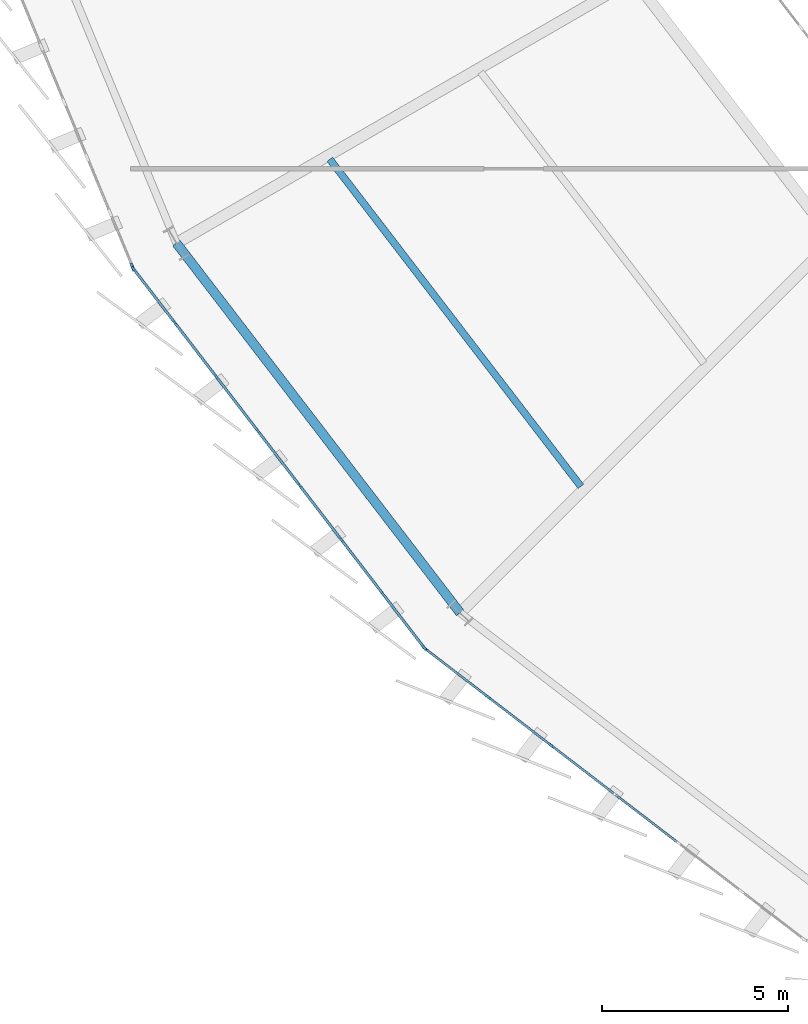
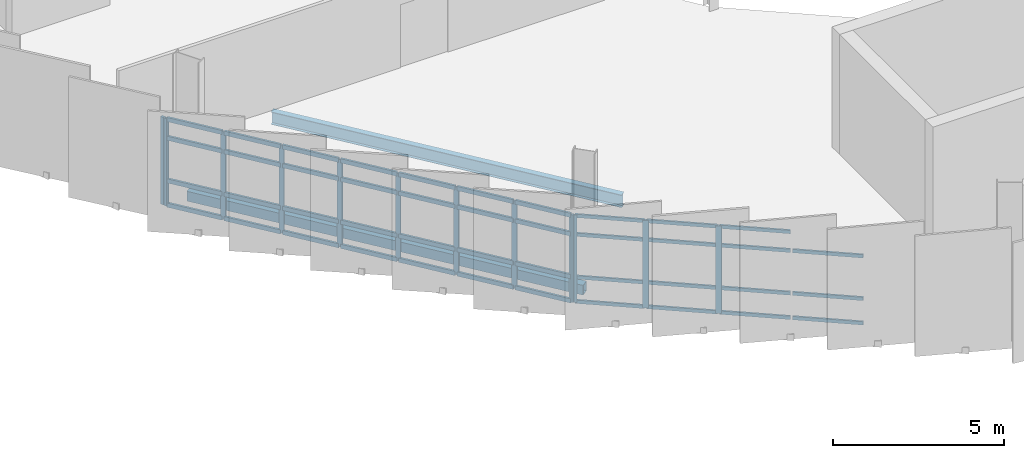
# One storey, part 15 of 67: 55 members, 2 beams, 3 elements without a shape of their own.
"""IFC4 building model written with IfcOpenShell, lengths in metres."""

from ifc_helpers import new_model, si_unit, direction, frame, origin, origin_2d, place, context, subcontext, project, spatial, rectangle, hollow_rectangle, i_section, extrude, material, layer, layer_set, material_profile, profile_set, type_object, element, aggregate, save


model = new_model("IFC4")

# Units and contexts
model_context = context("Model", 3, precision=1e-05, world=origin(), true_north=direction((0.0, 1.0)))
body_context = subcontext(model_context, "Body", "Model", "MODEL_VIEW")
ifc_project = project(units=[si_unit("LENGTHUNIT", "METRE"), si_unit("AREAUNIT", "SQUARE_METRE"), si_unit("VOLUMEUNIT", "CUBIC_METRE"), si_unit("PLANEANGLEUNIT", "RADIAN"), si_unit("MASSUNIT", "GRAM", prefix="KILO")], contexts=[model_context])

# Site, building, storey
site_placement = place(None, origin())
site = spatial("IfcSite", under=ifc_project, at=site_placement, CompositionType="ELEMENT")
building_placement = place(site_placement, origin())
building = spatial("IfcBuilding", under=site, at=building_placement, Name="Sohan Crest Arena", CompositionType="ELEMENT")
storey_placement = place(building_placement, frame((0.0, 0.0, 22.5)))
storey = spatial("IfcBuildingStorey", under=building, at=storey_placement, Name="L05", CompositionType="ELEMENT", Elevation=22.5)

# Curtain wall, members
ifc_material_1 = material(Name="Thermally broken anodised aluminium", Category="aluminium")
ifc_layer_1 = layer(ifc_material_1, 0.219970703125, Name="Thermally broken anodised aluminium")
ifc_layer_set_1 = layer_set([ifc_layer_1], Name="Thermally broken anodised aluminium")
curtain_wall_type_1 = type_object("IfcCurtainWallType", Name="ARC-CW03", PredefinedType="NOTDEFINED", material=ifc_layer_set_1)
curtain_wall_1_placement = place(storey_placement, origin())
curtain_wall_1 = element("IfcCurtainWall", 1, at=curtain_wall_1_placement, inside=storey, type_object=curtain_wall_type_1, Name="Unitised curtain wall CW-154", PredefinedType="NOTDEFINED")
ifc_material_profile_1 = material_profile(ifc_material_1, rectangle(XDim=0.06005859375, YDim=0.159912109375, at=origin_2d()), Name="ALU-MULL 60x160")
ifc_profile_set_1 = profile_set([ifc_material_profile_1], Name="Thermally broken anodised aluminium")
member_type_1 = type_object("IfcMemberType", Name="ARC-CW-ML01", PredefinedType="MULLION", material=ifc_profile_set_1)
member_1_placement = place(storey_placement, frame((55.2802734375, 53.30126953125, 0.0), z_axis=(0.0, 0.0, 1.0), x_axis=(0.793385172815, 0.60871994181, 0.0)))
member_1 = element("IfcMember", 2, at=member_1_placement, type_object=member_type_1, Name="CW-154 mullion 1", PredefinedType="MULLION", context=body_context, shape_type="SweptSolid", body=[
    extrude(rectangle(XDim=0.06005859375, YDim=0.159912109375, at=origin_2d()), origin(), (0.0, 0.0, 1.0), 3.1201171875),
])
member_2_placement = place(storey_placement, frame((56.38232421875, 51.86474609375, 0.0), z_axis=(0.0, 0.0, 1.0), x_axis=(0.793385172815, 0.60871994181, 0.0)))
member_2 = element("IfcMember", 3, at=member_2_placement, type_object=member_type_1, Name="CW-154 mullion 2", PredefinedType="MULLION", context=body_context, shape_type="SweptSolid", body=[
    extrude(rectangle(XDim=0.06005859375, YDim=0.159912109375, at=origin_2d()), origin(), (0.0, 0.0, 1.0), 3.1201171875),
])
member_3_placement = place(storey_placement, frame((57.502685546875, 50.40478515625, 0.0), z_axis=(0.0, 0.0, 1.0), x_axis=(0.793385172815, 0.60871994181, 0.0)))
member_3 = element("IfcMember", 4, at=member_3_placement, type_object=member_type_1, Name="CW-154 mullion 3", PredefinedType="MULLION", context=body_context, shape_type="SweptSolid", body=[
    extrude(rectangle(XDim=0.06005859375, YDim=0.159912109375, at=origin_2d()), origin(), (0.0, 0.0, 1.0), 3.1201171875),
])
member_4_placement = place(storey_placement, frame((58.622802734375, 48.944580078125, 0.0), z_axis=(0.0, 0.0, 1.0), x_axis=(0.793385172815, 0.60871994181, 0.0)))
member_4 = element("IfcMember", 5, at=member_4_placement, type_object=member_type_1, Name="CW-154 mullion 4", PredefinedType="MULLION", context=body_context, shape_type="SweptSolid", body=[
    extrude(rectangle(XDim=0.06005859375, YDim=0.159912109375, at=origin_2d()), origin(), (0.0, 0.0, 1.0), 3.1201171875),
])
member_5_placement = place(storey_placement, frame((59.7431640625, 47.484375, 0.0), z_axis=(0.0, 0.0, 1.0), x_axis=(0.793385172815, 0.60871994181, 0.0)))
member_5 = element("IfcMember", 6, at=member_5_placement, type_object=member_type_1, Name="CW-154 mullion 5", PredefinedType="MULLION", context=body_context, shape_type="SweptSolid", body=[
    extrude(rectangle(XDim=0.06005859375, YDim=0.159912109375, at=origin_2d()), origin(), (0.0, 0.0, 1.0), 3.1201171875),
])
member_6_placement = place(storey_placement, frame((60.863525390625, 46.024169921875, 0.0), z_axis=(0.0, 0.0, 1.0), x_axis=(0.793385172815, 0.60871994181, 0.0)))
member_6 = element("IfcMember", 7, at=member_6_placement, type_object=member_type_1, Name="CW-154 mullion 6", PredefinedType="MULLION", context=body_context, shape_type="SweptSolid", body=[
    extrude(rectangle(XDim=0.06005859375, YDim=0.159912109375, at=origin_2d()), origin(), (0.0, 0.0, 1.0), 3.1201171875),
])
member_7_placement = place(storey_placement, frame((61.983642578125, 44.564208984375, 0.0), z_axis=(0.0, 0.0, 1.0), x_axis=(0.793385172815, 0.60871994181, 0.0)))
member_7 = element("IfcMember", 8, at=member_7_placement, type_object=member_type_1, Name="CW-154 mullion 7", PredefinedType="MULLION", context=body_context, shape_type="SweptSolid", body=[
    extrude(rectangle(XDim=0.06005859375, YDim=0.159912109375, at=origin_2d()), origin(), (0.0, 0.0, 1.0), 3.1201171875),
])
member_8_placement = place(storey_placement, frame((63.085693359375, 43.127685546875, 0.0), z_axis=(0.0, 0.0, 1.0), x_axis=(0.793385172815, 0.60871994181, 0.0)))
member_8 = element("IfcMember", 9, at=member_8_placement, type_object=member_type_1, Name="CW-154 mullion 8", PredefinedType="MULLION", context=body_context, shape_type="SweptSolid", body=[
    extrude(rectangle(XDim=0.06005859375, YDim=0.159912109375, at=origin_2d()), origin(), (0.0, 0.0, 1.0), 3.1201171875),
])

ifc_layer_2 = layer(ifc_material_1, 0.239990234375, Name="Thermally broken anodised aluminium")
ifc_layer_set_2 = layer_set([ifc_layer_2], Name="Thermally broken anodised aluminium")
curtain_wall_type_2 = type_object("IfcCurtainWallType", Name="ARC-CW04", PredefinedType="NOTDEFINED", material=ifc_layer_set_2)
curtain_wall_2_placement = place(storey_placement, origin())
curtain_wall_2 = element("IfcCurtainWall", 10, at=curtain_wall_2_placement, inside=storey, type_object=curtain_wall_type_2, Name="Unitised curtain wall CW-155", PredefinedType="NOTDEFINED")
ifc_material_profile_2 = material_profile(ifc_material_1, rectangle(XDim=0.06494140625, YDim=0.179931640625, at=origin_2d()), Name="ALU-MULL 65x180")
ifc_profile_set_2 = profile_set([ifc_material_profile_2], Name="Thermally broken anodised aluminium")
member_type_2 = type_object("IfcMemberType", Name="ARC-CW-ML02", PredefinedType="MULLION", material=ifc_profile_set_2)
member_9_placement = place(storey_placement, frame((63.1298828125, 43.084228515625, 0.0), z_axis=(0.0, 0.0, 1.0), x_axis=(0.60871994181, 0.793385172815, 0.0)))
member_9 = element("IfcMember", 11, at=member_9_placement, type_object=member_type_2, Name="CW-155 mullion 1", PredefinedType="MULLION", context=body_context, shape_type="SweptSolid", body=[
    extrude(rectangle(XDim=0.06494140625, YDim=0.179931640625, at=origin_2d()), origin(), (0.0, 0.0, 1.0), 3.1201171875),
])
member_10_placement = place(storey_placement, frame((64.8076171875, 41.797119140625, 0.0), z_axis=(0.0, 0.0, 1.0), x_axis=(0.60871994181, 0.793385172815, 0.0)))
member_10 = element("IfcMember", 12, at=member_10_placement, type_object=member_type_2, Name="CW-155 mullion 2", PredefinedType="MULLION", context=body_context, shape_type="SweptSolid", body=[
    extrude(rectangle(XDim=0.06494140625, YDim=0.179931640625, at=origin_2d()), origin(), (0.0, 0.0, 1.0), 3.1201171875),
])
member_11_placement = place(storey_placement, frame((66.510986328125, 40.489990234375, 0.0), z_axis=(0.0, 0.0, 1.0), x_axis=(0.60871994181, 0.793385172815, 0.0)))
member_11 = element("IfcMember", 13, at=member_11_placement, type_object=member_type_2, Name="CW-155 mullion 3", PredefinedType="MULLION", context=body_context, shape_type="SweptSolid", body=[
    extrude(rectangle(XDim=0.06494140625, YDim=0.179931640625, at=origin_2d()), origin(), (0.0, 0.0, 1.0), 3.1201171875),
])

# Curtain wall, member
ifc_layer_3 = layer(ifc_material_1, 0.199951171875, Name="Thermally broken anodised aluminium")
ifc_layer_set_3 = layer_set([ifc_layer_3], Name="Thermally broken anodised aluminium")
curtain_wall_type_3 = type_object("IfcCurtainWallType", Name="ARC-CW02", PredefinedType="NOTDEFINED", material=ifc_layer_set_3)
curtain_wall_3_placement = place(storey_placement, origin())
curtain_wall_3 = element("IfcCurtainWall", 14, at=curtain_wall_3_placement, inside=storey, type_object=curtain_wall_type_3, Name="Unitised curtain wall CW-153", PredefinedType="NOTDEFINED")
ifc_material_profile_3 = material_profile(ifc_material_1, rectangle(XDim=0.074951171875, YDim=0.219970703125, at=origin_2d()), Name="ALU-MULL 75x220")
ifc_profile_set_3 = profile_set([ifc_material_profile_3], Name="Thermally broken anodised aluminium")
member_type_3 = type_object("IfcMemberType", Name="ARC-CW-ML04", PredefinedType="MULLION", material=ifc_profile_set_3)
member_12_placement = place(storey_placement, frame((55.24755859375, 53.359619140625, 0.0), z_axis=(0.0, 0.0, 1.0), x_axis=(0.923878704229, 0.382685432009, 0.0)))
member_12 = element("IfcMember", 15, at=member_12_placement, type_object=member_type_3, Name="CW-153 mullion 9", PredefinedType="MULLION", context=body_context, shape_type="SweptSolid", body=[
    extrude(rectangle(XDim=0.074951171875, YDim=0.219970703125, at=origin_2d()), origin(), (0.0, 0.0, 1.0), 3.1201171875),
])
aggregate(curtain_wall_3, [member_12])

# Member
ifc_material_profile_4 = material_profile(ifc_material_1, rectangle(XDim=0.06005859375, YDim=0.1201171875, at=origin_2d()), Name="ALU-TRAN 60x120")
ifc_profile_set_4 = profile_set([ifc_material_profile_4], Name="Thermally broken anodised aluminium")
member_type_4 = type_object("IfcMemberType", Name="ARC-CW-TR01", PredefinedType="USERDEFINED", material=ifc_profile_set_4)
member_13_placement = place(storey_placement, frame((63.155517578125, 43.064453125, 0.030029296875), z_axis=(0.793420359208, -0.6086740783, 0.0), x_axis=(0.6086740783, 0.793420359208, 0.0)))
member_13 = element("IfcMember", 16, at=member_13_placement, type_object=member_type_4, Name="CW-155 transom 1.1", ObjectType="TRANSOM", PredefinedType="USERDEFINED", context=body_context, shape_type="SweptSolid", body=[
    extrude(rectangle(XDim=0.06005859375, YDim=0.1201171875, at=origin_2d()), origin(), (0.0, 0.0, 1.0), 2.049560546875),
])

member_14_placement = place(storey_placement, frame((63.155517578125, 43.064453125, 0.89990234375), z_axis=(0.793420359208, -0.6086740783, 0.0), x_axis=(0.6086740783, 0.793420359208, 0.0)))
member_14 = element("IfcMember", 17, at=member_14_placement, type_object=member_type_4, Name="CW-155 transom 1.2", ObjectType="TRANSOM", PredefinedType="USERDEFINED", context=body_context, shape_type="SweptSolid", body=[
    extrude(rectangle(XDim=0.06005859375, YDim=0.1201171875, at=origin_2d()), origin(), (0.0, 0.0, 1.0), 2.049560546875),
])

member_15_placement = place(storey_placement, frame((63.155517578125, 43.064453125, 2.419921875), z_axis=(0.793420359208, -0.6086740783, 0.0), x_axis=(0.6086740783, 0.793420359208, 0.0)))
member_15 = element("IfcMember", 18, at=member_15_placement, type_object=member_type_4, Name="CW-155 transom 1.3", ObjectType="TRANSOM", PredefinedType="USERDEFINED", context=body_context, shape_type="SweptSolid", body=[
    extrude(rectangle(XDim=0.06005859375, YDim=0.1201171875, at=origin_2d()), origin(), (0.0, 0.0, 1.0), 2.049560546875),
])

member_16_placement = place(storey_placement, frame((63.155517578125, 43.064453125, 3.090087890625), z_axis=(0.793420359208, -0.6086740783, 0.0), x_axis=(0.6086740783, 0.793420359208, 0.0)))
member_16 = element("IfcMember", 19, at=member_16_placement, type_object=member_type_4, Name="CW-155 transom 1.4", ObjectType="TRANSOM", PredefinedType="USERDEFINED", context=body_context, shape_type="SweptSolid", body=[
    extrude(rectangle(XDim=0.06005859375, YDim=0.1201171875, at=origin_2d()), origin(), (0.0, 0.0, 1.0), 2.049560546875),
])

member_17_placement = place(storey_placement, frame((64.833251953125, 41.777099609375, 0.030029296875), z_axis=(0.79339492991, -0.608707224529, 0.0), x_axis=(0.608707224529, 0.79339492991, 0.0)))
member_17 = element("IfcMember", 20, at=member_17_placement, type_object=member_type_4, Name="CW-155 transom 2.1", ObjectType="TRANSOM", PredefinedType="USERDEFINED", context=body_context, shape_type="SweptSolid", body=[
    extrude(rectangle(XDim=0.06005859375, YDim=0.1201171875, at=origin_2d()), origin(), (0.0, 0.0, 1.0), 2.08203125),
])

member_18_placement = place(storey_placement, frame((64.833251953125, 41.777099609375, 0.89990234375), z_axis=(0.79339492991, -0.608707224529, 0.0), x_axis=(0.608707224529, 0.79339492991, 0.0)))
member_18 = element("IfcMember", 21, at=member_18_placement, type_object=member_type_4, Name="CW-155 transom 2.2", ObjectType="TRANSOM", PredefinedType="USERDEFINED", context=body_context, shape_type="SweptSolid", body=[
    extrude(rectangle(XDim=0.06005859375, YDim=0.1201171875, at=origin_2d()), origin(), (0.0, 0.0, 1.0), 2.08203125),
])

member_19_placement = place(storey_placement, frame((64.833251953125, 41.777099609375, 2.419921875), z_axis=(0.79339492991, -0.608707224529, 0.0), x_axis=(0.608707224529, 0.79339492991, 0.0)))
member_19 = element("IfcMember", 22, at=member_19_placement, type_object=member_type_4, Name="CW-155 transom 2.3", ObjectType="TRANSOM", PredefinedType="USERDEFINED", context=body_context, shape_type="SweptSolid", body=[
    extrude(rectangle(XDim=0.06005859375, YDim=0.1201171875, at=origin_2d()), origin(), (0.0, 0.0, 1.0), 2.08203125),
])

member_20_placement = place(storey_placement, frame((64.833251953125, 41.777099609375, 3.090087890625), z_axis=(0.79339492991, -0.608707224529, 0.0), x_axis=(0.608707224529, 0.79339492991, 0.0)))
member_20 = element("IfcMember", 23, at=member_20_placement, type_object=member_type_4, Name="CW-155 transom 2.4", ObjectType="TRANSOM", PredefinedType="USERDEFINED", context=body_context, shape_type="SweptSolid", body=[
    extrude(rectangle(XDim=0.06005859375, YDim=0.1201171875, at=origin_2d()), origin(), (0.0, 0.0, 1.0), 2.08203125),
])

member_21_placement = place(storey_placement, frame((66.536865234375, 40.47021484375, 0.030029296875), z_axis=(0.79339492991, -0.608707224529, 0.0), x_axis=(0.608707224529, 0.79339492991, 0.0)))
member_21 = element("IfcMember", 24, at=member_21_placement, type_object=member_type_4, Name="CW-155 transom 3.1", ObjectType="TRANSOM", PredefinedType="USERDEFINED", context=body_context, shape_type="SweptSolid", body=[
    extrude(rectangle(XDim=0.06005859375, YDim=0.1201171875, at=origin_2d()), origin(), (0.0, 0.0, 1.0), 2.08203125),
])

member_22_placement = place(storey_placement, frame((66.536865234375, 40.47021484375, 0.89990234375), z_axis=(0.79339492991, -0.608707224529, 0.0), x_axis=(0.608707224529, 0.79339492991, 0.0)))
member_22 = element("IfcMember", 25, at=member_22_placement, type_object=member_type_4, Name="CW-155 transom 3.2", ObjectType="TRANSOM", PredefinedType="USERDEFINED", context=body_context, shape_type="SweptSolid", body=[
    extrude(rectangle(XDim=0.06005859375, YDim=0.1201171875, at=origin_2d()), origin(), (0.0, 0.0, 1.0), 2.08203125),
])

member_23_placement = place(storey_placement, frame((66.536865234375, 40.47021484375, 2.419921875), z_axis=(0.79339492991, -0.608707224529, 0.0), x_axis=(0.608707224529, 0.79339492991, 0.0)))
member_23 = element("IfcMember", 26, at=member_23_placement, type_object=member_type_4, Name="CW-155 transom 3.3", ObjectType="TRANSOM", PredefinedType="USERDEFINED", context=body_context, shape_type="SweptSolid", body=[
    extrude(rectangle(XDim=0.06005859375, YDim=0.1201171875, at=origin_2d()), origin(), (0.0, 0.0, 1.0), 2.08203125),
])

member_24_placement = place(storey_placement, frame((66.536865234375, 40.47021484375, 3.090087890625), z_axis=(0.79339492991, -0.608707224529, 0.0), x_axis=(0.608707224529, 0.79339492991, 0.0)))
member_24 = element("IfcMember", 27, at=member_24_placement, type_object=member_type_4, Name="CW-155 transom 3.4", ObjectType="TRANSOM", PredefinedType="USERDEFINED", context=body_context, shape_type="SweptSolid", body=[
    extrude(rectangle(XDim=0.06005859375, YDim=0.1201171875, at=origin_2d()), origin(), (0.0, 0.0, 1.0), 2.08203125),
])

member_25_placement = place(storey_placement, frame((68.240234375, 39.163330078125, 0.030029296875), z_axis=(0.793381749206, -0.608724404001, 0.0), x_axis=(0.608724404001, 0.793381749206, 0.0)))
member_25 = element("IfcMember", 28, at=member_25_placement, type_object=member_type_4, Name="CW-155 transom 4.1", ObjectType="TRANSOM", PredefinedType="USERDEFINED", context=body_context, shape_type="SweptSolid", body=[
    extrude(rectangle(XDim=0.06005859375, YDim=0.1201171875, at=origin_2d()), origin(), (0.0, 0.0, 1.0), 2.082275390625),
])

member_26_placement = place(storey_placement, frame((68.240234375, 39.163330078125, 0.89990234375), z_axis=(0.793381749206, -0.608724404001, 0.0), x_axis=(0.608724404001, 0.793381749206, 0.0)))
member_26 = element("IfcMember", 29, at=member_26_placement, type_object=member_type_4, Name="CW-155 transom 4.2", ObjectType="TRANSOM", PredefinedType="USERDEFINED", context=body_context, shape_type="SweptSolid", body=[
    extrude(rectangle(XDim=0.06005859375, YDim=0.1201171875, at=origin_2d()), origin(), (0.0, 0.0, 1.0), 2.082275390625),
])

member_27_placement = place(storey_placement, frame((68.240234375, 39.163330078125, 2.419921875), z_axis=(0.793381749206, -0.608724404001, 0.0), x_axis=(0.608724404001, 0.793381749206, 0.0)))
member_27 = element("IfcMember", 30, at=member_27_placement, type_object=member_type_4, Name="CW-155 transom 4.3", ObjectType="TRANSOM", PredefinedType="USERDEFINED", context=body_context, shape_type="SweptSolid", body=[
    extrude(rectangle(XDim=0.06005859375, YDim=0.1201171875, at=origin_2d()), origin(), (0.0, 0.0, 1.0), 2.082275390625),
])

aggregate(curtain_wall_2, [member_9, member_10, member_11, member_13, member_14, member_15, member_16, member_17, member_18, member_19, member_20, member_21, member_22, member_23, member_24, member_25, member_26, member_27])

ifc_material_profile_5 = material_profile(ifc_material_1, rectangle(XDim=0.070068359375, YDim=0.14990234375, at=origin_2d()), Name="ALU-TRAN 70x150")
ifc_profile_set_5 = profile_set([ifc_material_profile_5], Name="Thermally broken anodised aluminium")
member_type_5 = type_object("IfcMemberType", Name="ARC-CW-TR03", PredefinedType="USERDEFINED", material=ifc_profile_set_5)
member_28_placement = place(storey_placement, frame((55.298583984375, 53.27734375, 0.034912109375), z_axis=(0.608712622948, -0.793390788114, 0.0), x_axis=(0.793390788114, 0.608712622948, 0.0)))
member_28 = element("IfcMember", 31, at=member_28_placement, type_object=member_type_5, Name="CW-154 transom 1.1", ObjectType="TRANSOM", PredefinedType="USERDEFINED", context=body_context, shape_type="SweptSolid", body=[
    extrude(rectangle(XDim=0.070068359375, YDim=0.14990234375, at=origin_2d()), origin(), (0.0, 0.0, 1.0), 1.750244140625),
])

member_29_placement = place(storey_placement, frame((55.298583984375, 53.27734375, 0.89990234375), z_axis=(0.608712622948, -0.793390788114, 0.0), x_axis=(0.793390788114, 0.608712622948, 0.0)))
member_29 = element("IfcMember", 32, at=member_29_placement, type_object=member_type_5, Name="CW-154 transom 1.2", ObjectType="TRANSOM", PredefinedType="USERDEFINED", context=body_context, shape_type="SweptSolid", body=[
    extrude(rectangle(XDim=0.070068359375, YDim=0.14990234375, at=origin_2d()), origin(), (0.0, 0.0, 1.0), 1.750244140625),
])

member_30_placement = place(storey_placement, frame((55.298583984375, 53.27734375, 2.419921875), z_axis=(0.608712622948, -0.793390788114, 0.0), x_axis=(0.793390788114, 0.608712622948, 0.0)))
member_30 = element("IfcMember", 33, at=member_30_placement, type_object=member_type_5, Name="CW-154 transom 1.3", ObjectType="TRANSOM", PredefinedType="USERDEFINED", context=body_context, shape_type="SweptSolid", body=[
    extrude(rectangle(XDim=0.070068359375, YDim=0.14990234375, at=origin_2d()), origin(), (0.0, 0.0, 1.0), 1.750244140625),
])

member_31_placement = place(storey_placement, frame((55.298583984375, 53.27734375, 3.0849609375), z_axis=(0.608712622948, -0.793390788114, 0.0), x_axis=(0.793390788114, 0.608712622948, 0.0)))
member_31 = element("IfcMember", 34, at=member_31_placement, type_object=member_type_5, Name="CW-154 transom 1.4", ObjectType="TRANSOM", PredefinedType="USERDEFINED", context=body_context, shape_type="SweptSolid", body=[
    extrude(rectangle(XDim=0.070068359375, YDim=0.14990234375, at=origin_2d()), origin(), (0.0, 0.0, 1.0), 1.750244140625),
])

member_32_placement = place(storey_placement, frame((56.400634765625, 51.841064453125, 0.034912109375), z_axis=(0.608696355161, -0.793403268971, 0.0), x_axis=(0.793403268971, 0.608696355161, 0.0)))
member_32 = element("IfcMember", 35, at=member_32_placement, type_object=member_type_5, Name="CW-154 transom 2.1", ObjectType="TRANSOM", PredefinedType="USERDEFINED", context=body_context, shape_type="SweptSolid", body=[
    extrude(rectangle(XDim=0.070068359375, YDim=0.14990234375, at=origin_2d()), origin(), (0.0, 0.0, 1.0), 1.780517578125),
])

member_33_placement = place(storey_placement, frame((56.400634765625, 51.841064453125, 0.89990234375), z_axis=(0.608696355161, -0.793403268971, 0.0), x_axis=(0.793403268971, 0.608696355161, 0.0)))
member_33 = element("IfcMember", 36, at=member_33_placement, type_object=member_type_5, Name="CW-154 transom 2.2", ObjectType="TRANSOM", PredefinedType="USERDEFINED", context=body_context, shape_type="SweptSolid", body=[
    extrude(rectangle(XDim=0.070068359375, YDim=0.14990234375, at=origin_2d()), origin(), (0.0, 0.0, 1.0), 1.780517578125),
])

member_34_placement = place(storey_placement, frame((56.400634765625, 51.841064453125, 2.419921875), z_axis=(0.608696355161, -0.793403268971, 0.0), x_axis=(0.793403268971, 0.608696355161, 0.0)))
member_34 = element("IfcMember", 37, at=member_34_placement, type_object=member_type_5, Name="CW-154 transom 2.3", ObjectType="TRANSOM", PredefinedType="USERDEFINED", context=body_context, shape_type="SweptSolid", body=[
    extrude(rectangle(XDim=0.070068359375, YDim=0.14990234375, at=origin_2d()), origin(), (0.0, 0.0, 1.0), 1.780517578125),
])

member_35_placement = place(storey_placement, frame((56.400634765625, 51.841064453125, 3.0849609375), z_axis=(0.608696355161, -0.793403268971, 0.0), x_axis=(0.793403268971, 0.608696355161, 0.0)))
member_35 = element("IfcMember", 38, at=member_35_placement, type_object=member_type_5, Name="CW-154 transom 2.4", ObjectType="TRANSOM", PredefinedType="USERDEFINED", context=body_context, shape_type="SweptSolid", body=[
    extrude(rectangle(XDim=0.070068359375, YDim=0.14990234375, at=origin_2d()), origin(), (0.0, 0.0, 1.0), 1.780517578125),
])

member_36_placement = place(storey_placement, frame((57.520751953125, 50.380859375, 0.034912109375), z_axis=(0.608696355161, -0.793403268971, 0.0), x_axis=(0.793403268971, 0.608696355161, 0.0)))
member_36 = element("IfcMember", 39, at=member_36_placement, type_object=member_type_5, Name="CW-154 transom 3.1", ObjectType="TRANSOM", PredefinedType="USERDEFINED", context=body_context, shape_type="SweptSolid", body=[
    extrude(rectangle(XDim=0.070068359375, YDim=0.14990234375, at=origin_2d()), origin(), (0.0, 0.0, 1.0), 1.780517578125),
])

member_37_placement = place(storey_placement, frame((57.520751953125, 50.380859375, 0.89990234375), z_axis=(0.608696355161, -0.793403268971, 0.0), x_axis=(0.793403268971, 0.608696355161, 0.0)))
member_37 = element("IfcMember", 40, at=member_37_placement, type_object=member_type_5, Name="CW-154 transom 3.2", ObjectType="TRANSOM", PredefinedType="USERDEFINED", context=body_context, shape_type="SweptSolid", body=[
    extrude(rectangle(XDim=0.070068359375, YDim=0.14990234375, at=origin_2d()), origin(), (0.0, 0.0, 1.0), 1.780517578125),
])

member_38_placement = place(storey_placement, frame((57.520751953125, 50.380859375, 2.419921875), z_axis=(0.608696355161, -0.793403268971, 0.0), x_axis=(0.793403268971, 0.608696355161, 0.0)))
member_38 = element("IfcMember", 41, at=member_38_placement, type_object=member_type_5, Name="CW-154 transom 3.3", ObjectType="TRANSOM", PredefinedType="USERDEFINED", context=body_context, shape_type="SweptSolid", body=[
    extrude(rectangle(XDim=0.070068359375, YDim=0.14990234375, at=origin_2d()), origin(), (0.0, 0.0, 1.0), 1.780517578125),
])

member_39_placement = place(storey_placement, frame((57.520751953125, 50.380859375, 3.0849609375), z_axis=(0.608696355161, -0.793403268971, 0.0), x_axis=(0.793403268971, 0.608696355161, 0.0)))
member_39 = element("IfcMember", 42, at=member_39_placement, type_object=member_type_5, Name="CW-154 transom 3.4", ObjectType="TRANSOM", PredefinedType="USERDEFINED", context=body_context, shape_type="SweptSolid", body=[
    extrude(rectangle(XDim=0.070068359375, YDim=0.14990234375, at=origin_2d()), origin(), (0.0, 0.0, 1.0), 1.780517578125),
])

member_40_placement = place(storey_placement, frame((58.64111328125, 48.920654296875, 0.034912109375), z_axis=(0.608762583458, -0.79335245445, 0.0), x_axis=(0.79335245445, 0.608762583458, 0.0)))
member_40 = element("IfcMember", 43, at=member_40_placement, type_object=member_type_5, Name="CW-154 transom 4.1", ObjectType="TRANSOM", PredefinedType="USERDEFINED", context=body_context, shape_type="SweptSolid", body=[
    extrude(rectangle(XDim=0.070068359375, YDim=0.14990234375, at=origin_2d()), origin(), (0.0, 0.0, 1.0), 1.7802734375),
])

member_41_placement = place(storey_placement, frame((58.64111328125, 48.920654296875, 0.89990234375), z_axis=(0.608762583458, -0.79335245445, 0.0), x_axis=(0.79335245445, 0.608762583458, 0.0)))
member_41 = element("IfcMember", 44, at=member_41_placement, type_object=member_type_5, Name="CW-154 transom 4.2", ObjectType="TRANSOM", PredefinedType="USERDEFINED", context=body_context, shape_type="SweptSolid", body=[
    extrude(rectangle(XDim=0.070068359375, YDim=0.14990234375, at=origin_2d()), origin(), (0.0, 0.0, 1.0), 1.7802734375),
])

member_42_placement = place(storey_placement, frame((58.64111328125, 48.920654296875, 2.419921875), z_axis=(0.608762583458, -0.79335245445, 0.0), x_axis=(0.79335245445, 0.608762583458, 0.0)))
member_42 = element("IfcMember", 45, at=member_42_placement, type_object=member_type_5, Name="CW-154 transom 4.3", ObjectType="TRANSOM", PredefinedType="USERDEFINED", context=body_context, shape_type="SweptSolid", body=[
    extrude(rectangle(XDim=0.070068359375, YDim=0.14990234375, at=origin_2d()), origin(), (0.0, 0.0, 1.0), 1.7802734375),
])

member_43_placement = place(storey_placement, frame((58.64111328125, 48.920654296875, 3.0849609375), z_axis=(0.608762583458, -0.79335245445, 0.0), x_axis=(0.79335245445, 0.608762583458, 0.0)))
member_43 = element("IfcMember", 46, at=member_43_placement, type_object=member_type_5, Name="CW-154 transom 4.4", ObjectType="TRANSOM", PredefinedType="USERDEFINED", context=body_context, shape_type="SweptSolid", body=[
    extrude(rectangle(XDim=0.070068359375, YDim=0.14990234375, at=origin_2d()), origin(), (0.0, 0.0, 1.0), 1.7802734375),
])

member_44_placement = place(storey_placement, frame((59.761474609375, 47.460693359375, 0.034912109375), z_axis=(0.608696355161, -0.793403268971, 0.0), x_axis=(0.793403268971, 0.608696355161, 0.0)))
member_44 = element("IfcMember", 47, at=member_44_placement, type_object=member_type_5, Name="CW-154 transom 5.1", ObjectType="TRANSOM", PredefinedType="USERDEFINED", context=body_context, shape_type="SweptSolid", body=[
    extrude(rectangle(XDim=0.070068359375, YDim=0.14990234375, at=origin_2d()), origin(), (0.0, 0.0, 1.0), 1.780517578125),
])

member_45_placement = place(storey_placement, frame((59.761474609375, 47.460693359375, 0.89990234375), z_axis=(0.608696355161, -0.793403268971, 0.0), x_axis=(0.793403268971, 0.608696355161, 0.0)))
member_45 = element("IfcMember", 48, at=member_45_placement, type_object=member_type_5, Name="CW-154 transom 5.2", ObjectType="TRANSOM", PredefinedType="USERDEFINED", context=body_context, shape_type="SweptSolid", body=[
    extrude(rectangle(XDim=0.070068359375, YDim=0.14990234375, at=origin_2d()), origin(), (0.0, 0.0, 1.0), 1.780517578125),
])

member_46_placement = place(storey_placement, frame((59.761474609375, 47.460693359375, 2.419921875), z_axis=(0.608696355161, -0.793403268971, 0.0), x_axis=(0.793403268971, 0.608696355161, 0.0)))
member_46 = element("IfcMember", 49, at=member_46_placement, type_object=member_type_5, Name="CW-154 transom 5.3", ObjectType="TRANSOM", PredefinedType="USERDEFINED", context=body_context, shape_type="SweptSolid", body=[
    extrude(rectangle(XDim=0.070068359375, YDim=0.14990234375, at=origin_2d()), origin(), (0.0, 0.0, 1.0), 1.780517578125),
])

member_47_placement = place(storey_placement, frame((59.761474609375, 47.460693359375, 3.0849609375), z_axis=(0.608696355161, -0.793403268971, 0.0), x_axis=(0.793403268971, 0.608696355161, 0.0)))
member_47 = element("IfcMember", 50, at=member_47_placement, type_object=member_type_5, Name="CW-154 transom 5.4", ObjectType="TRANSOM", PredefinedType="USERDEFINED", context=body_context, shape_type="SweptSolid", body=[
    extrude(rectangle(XDim=0.070068359375, YDim=0.14990234375, at=origin_2d()), origin(), (0.0, 0.0, 1.0), 1.780517578125),
])

member_48_placement = place(storey_placement, frame((60.881591796875, 46.00048828125, 0.034912109375), z_axis=(0.608696355161, -0.793403268971, 0.0), x_axis=(0.793403268971, 0.608696355161, 0.0)))
member_48 = element("IfcMember", 51, at=member_48_placement, type_object=member_type_5, Name="CW-154 transom 6.1", ObjectType="TRANSOM", PredefinedType="USERDEFINED", context=body_context, shape_type="SweptSolid", body=[
    extrude(rectangle(XDim=0.070068359375, YDim=0.14990234375, at=origin_2d()), origin(), (0.0, 0.0, 1.0), 1.780517578125),
])

member_49_placement = place(storey_placement, frame((60.881591796875, 46.00048828125, 0.89990234375), z_axis=(0.608696355161, -0.793403268971, 0.0), x_axis=(0.793403268971, 0.608696355161, 0.0)))
member_49 = element("IfcMember", 52, at=member_49_placement, type_object=member_type_5, Name="CW-154 transom 6.2", ObjectType="TRANSOM", PredefinedType="USERDEFINED", context=body_context, shape_type="SweptSolid", body=[
    extrude(rectangle(XDim=0.070068359375, YDim=0.14990234375, at=origin_2d()), origin(), (0.0, 0.0, 1.0), 1.780517578125),
])

member_50_placement = place(storey_placement, frame((60.881591796875, 46.00048828125, 2.419921875), z_axis=(0.608696355161, -0.793403268971, 0.0), x_axis=(0.793403268971, 0.608696355161, 0.0)))
member_50 = element("IfcMember", 53, at=member_50_placement, type_object=member_type_5, Name="CW-154 transom 6.3", ObjectType="TRANSOM", PredefinedType="USERDEFINED", context=body_context, shape_type="SweptSolid", body=[
    extrude(rectangle(XDim=0.070068359375, YDim=0.14990234375, at=origin_2d()), origin(), (0.0, 0.0, 1.0), 1.780517578125),
])

member_51_placement = place(storey_placement, frame((60.881591796875, 46.00048828125, 3.0849609375), z_axis=(0.608696355161, -0.793403268971, 0.0), x_axis=(0.793403268971, 0.608696355161, 0.0)))
member_51 = element("IfcMember", 54, at=member_51_placement, type_object=member_type_5, Name="CW-154 transom 6.4", ObjectType="TRANSOM", PredefinedType="USERDEFINED", context=body_context, shape_type="SweptSolid", body=[
    extrude(rectangle(XDim=0.070068359375, YDim=0.14990234375, at=origin_2d()), origin(), (0.0, 0.0, 1.0), 1.780517578125),
])

member_52_placement = place(storey_placement, frame((62.001953125, 44.540283203125, 0.034912109375), z_axis=(0.608712622948, -0.793390788114, 0.0), x_axis=(0.793390788114, 0.608712622948, 0.0)))
member_52 = element("IfcMember", 55, at=member_52_placement, type_object=member_type_5, Name="CW-154 transom 7.1", ObjectType="TRANSOM", PredefinedType="USERDEFINED", context=body_context, shape_type="SweptSolid", body=[
    extrude(rectangle(XDim=0.070068359375, YDim=0.14990234375, at=origin_2d()), origin(), (0.0, 0.0, 1.0), 1.750244140625),
])

member_53_placement = place(storey_placement, frame((62.001953125, 44.540283203125, 0.89990234375), z_axis=(0.608712622948, -0.793390788114, 0.0), x_axis=(0.793390788114, 0.608712622948, 0.0)))
member_53 = element("IfcMember", 56, at=member_53_placement, type_object=member_type_5, Name="CW-154 transom 7.2", ObjectType="TRANSOM", PredefinedType="USERDEFINED", context=body_context, shape_type="SweptSolid", body=[
    extrude(rectangle(XDim=0.070068359375, YDim=0.14990234375, at=origin_2d()), origin(), (0.0, 0.0, 1.0), 1.750244140625),
])

member_54_placement = place(storey_placement, frame((62.001953125, 44.540283203125, 2.419921875), z_axis=(0.608712622948, -0.793390788114, 0.0), x_axis=(0.793390788114, 0.608712622948, 0.0)))
member_54 = element("IfcMember", 57, at=member_54_placement, type_object=member_type_5, Name="CW-154 transom 7.3", ObjectType="TRANSOM", PredefinedType="USERDEFINED", context=body_context, shape_type="SweptSolid", body=[
    extrude(rectangle(XDim=0.070068359375, YDim=0.14990234375, at=origin_2d()), origin(), (0.0, 0.0, 1.0), 1.750244140625),
])

member_55_placement = place(storey_placement, frame((62.001953125, 44.540283203125, 3.0849609375), z_axis=(0.608712622948, -0.793390788114, 0.0), x_axis=(0.793390788114, 0.608712622948, 0.0)))
member_55 = element("IfcMember", 58, at=member_55_placement, type_object=member_type_5, Name="CW-154 transom 7.4", ObjectType="TRANSOM", PredefinedType="USERDEFINED", context=body_context, shape_type="SweptSolid", body=[
    extrude(rectangle(XDim=0.070068359375, YDim=0.14990234375, at=origin_2d()), origin(), (0.0, 0.0, 1.0), 1.750244140625),
])

aggregate(curtain_wall_1, [member_1, member_2, member_3, member_4, member_5, member_6, member_7, member_8, member_28, member_29, member_30, member_31, member_32, member_33, member_34, member_35, member_36, member_37, member_38, member_39, member_40, member_41, member_42, member_43, member_44, member_45, member_46, member_47, member_48, member_49, member_50, member_51, member_52, member_53, member_54, member_55])

# Beams
ifc_material_2 = material(Name="Steel S355", Category="steel")
ifc_material_profile_6 = material_profile(ifc_material_2, i_section(OverallWidth=0.18994140625, OverallDepth=0.449951171875, WebThickness=0.009521484375, FlangeThickness=0.0146484375, at=origin_2d()), Name="IPE 450")
ifc_profile_set_6 = profile_set([ifc_material_profile_6], Name="Steel S355")
beam_type_1 = type_object("IfcBeamType", Name="STR-BM-B04", PredefinedType="JOIST", material=ifc_profile_set_6)
beam_1_placement = place(storey_placement, frame((60.555908203125, 56.256103515625, -0.47509765625), z_axis=(0.608788813613, -0.793332326594, 0.0), x_axis=(0.793332326594, 0.608788813613, 0.0)))
element("IfcBeam", 59, at=beam_1_placement, inside=storey, type_object=beam_type_1, Name="Structural beam J-L05-1743", PredefinedType="JOIST", context=body_context, shape_type="SweptSolid", body=[
    extrude(i_section(OverallWidth=0.18994140625, OverallDepth=0.449951171875, WebThickness=0.009521484375, FlangeThickness=0.0146484375, at=origin_2d()), origin(), (0.0, 0.0, 1.0), 11.087646484375),
])
ifc_material_profile_7 = material_profile(ifc_material_2, hollow_rectangle(XDim=0.25, YDim=0.35009765625, WallThickness=0.012451171875, at=origin_2d()), Name="RHS 350x250x12.5")
ifc_profile_set_7 = profile_set([ifc_material_profile_7], Name="Steel S355")
beam_type_2 = type_object("IfcBeamType", Name="STR-BM-SP04", PredefinedType="SPANDREL", material=ifc_profile_set_7)
beam_2_placement = place(storey_placement, frame((56.430908203125, 54.0, -0.425048828125), z_axis=(0.608773443368, -0.793344121205, 0.0), x_axis=(0.793344121205, 0.608773443368, 0.0)))
element("IfcBeam", 60, at=beam_2_placement, inside=storey, type_object=beam_type_2, Name="Structural beam SP-L05-1741", PredefinedType="SPANDREL", context=body_context, shape_type="SweptSolid", body=[
    extrude(hollow_rectangle(XDim=0.25, YDim=0.35009765625, WallThickness=0.012451171875, at=origin_2d()), origin(), (0.0, 0.0, 1.0), 12.530517578125),
])

save(model, "model.ifc")
